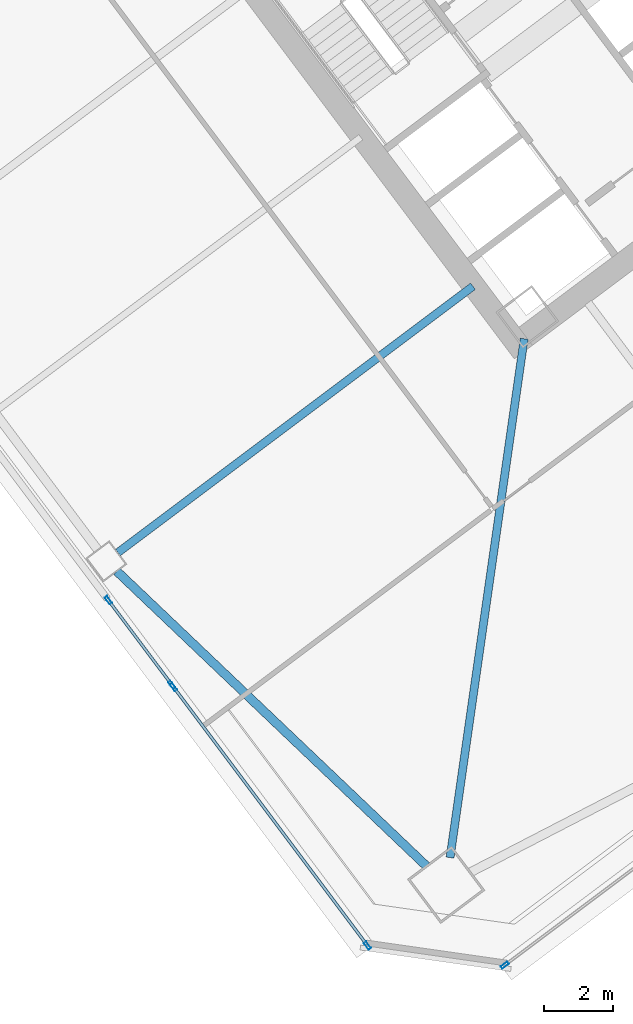
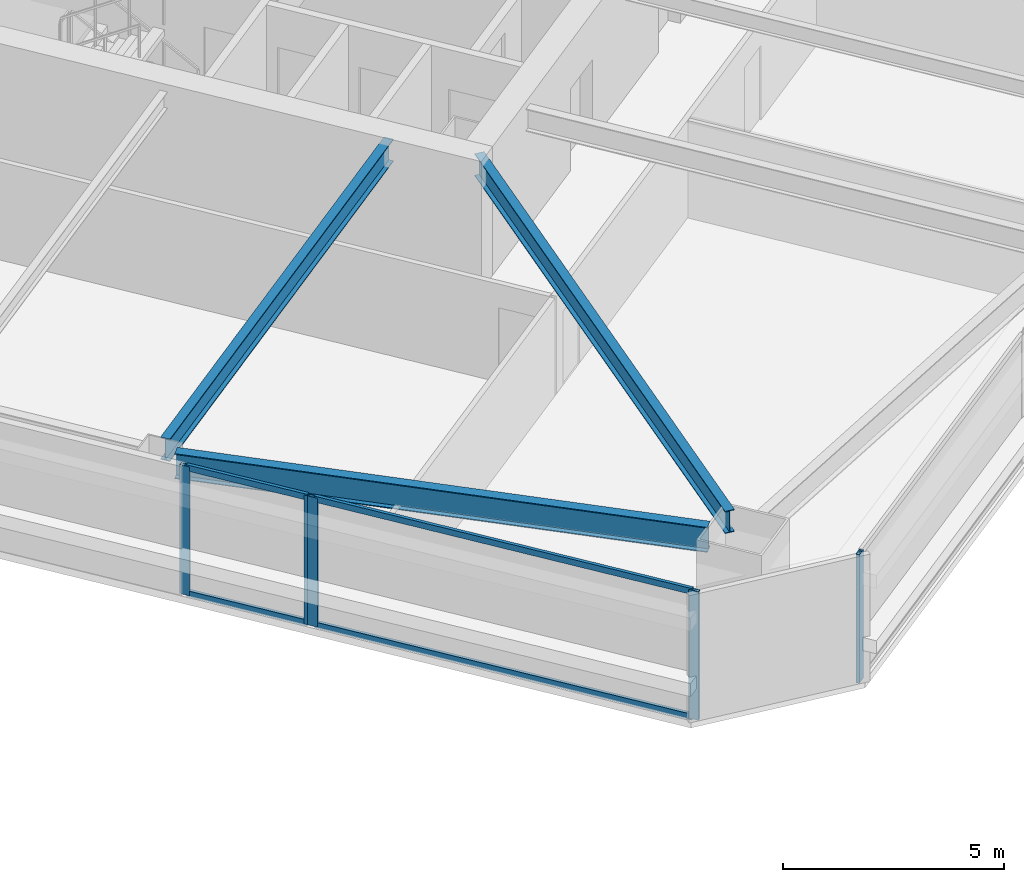
# One storey, part 18 of 46: 9 members, 3 beams, 3 elements without a shape of their own.
"""IFC4 building model written with IfcOpenShell, lengths in metres."""

from ifc_helpers import new_model, si_unit, direction, frame, origin, origin_2d, place, context, subcontext, project, spatial, hollow_rectangle, i_section, extrude, material, material_profile, profile_set, type_object, element, aggregate, save


model = new_model("IFC4")

# Units and contexts
model_context = context("Model", 3, precision=1e-05, world=origin(), true_north=direction((0.0, 1.0)))
body_context = subcontext(model_context, "Body", "Model", "MODEL_VIEW")
ifc_project = project(units=[si_unit("LENGTHUNIT", "METRE"), si_unit("AREAUNIT", "SQUARE_METRE"), si_unit("VOLUMEUNIT", "CUBIC_METRE"), si_unit("PLANEANGLEUNIT", "RADIAN"), si_unit("MASSUNIT", "GRAM", prefix="KILO")], contexts=[model_context])

# Site, building, storey
site_placement = place(None, origin())
site = spatial("IfcSite", under=ifc_project, at=site_placement, CompositionType="ELEMENT")
building_placement = place(site_placement, origin())
building = spatial("IfcBuilding", under=site, at=building_placement, Name="Tashvorn Skyway Center", CompositionType="ELEMENT")
storey_placement = place(building_placement, frame((0.0, 0.0, 31.699951171875)))
storey = spatial("IfcBuildingStorey", under=building, at=storey_placement, Name="L07", CompositionType="ELEMENT", Elevation=31.699951171875)

# Beams
ifc_material_1 = material(Name="Steel ASTM A992 Grade 50", Category="steel")
ifc_material_profile_1 = material_profile(ifc_material_1, i_section(OverallWidth=0.22998046875, OverallDepth=0.616943359375, WebThickness=0.01318359375, FlangeThickness=0.022216796875, at=origin_2d()), Name="W24X94")
ifc_profile_set_1 = profile_set([ifc_material_profile_1], Name="Steel ASTM A992 Grade 50")
beam_type_1 = type_object("IfcBeamType", Name="BM-BEAM-W24X94", PredefinedType="BEAM", material=ifc_profile_set_1)
beam_1_placement = place(storey_placement, frame((110.3525390625, 6.467041015625, 3.04150390625), z_axis=(0.141414599991, 0.989950458816, 0.0), x_axis=(-0.989950458816, 0.141414599991, 0.0)))
element("IfcBeam", 1, at=beam_1_placement, inside=storey, type_object=beam_type_1, Name="Tower 2 L07 Primary Floor Girder MC-SW", PredefinedType="BEAM", context=body_context, shape_type="SweptSolid", body=[
    extrude(i_section(OverallWidth=0.22998046875, OverallDepth=0.616943359375, WebThickness=0.01318359375, FlangeThickness=0.022216796875, at=origin_2d()), origin(), (0.0, 0.0, 1.0), 15.177001953125),
])
beam_2_placement = place(storey_placement, frame((100.736083984375, 15.302001953125, 3.04150390625), z_axis=(0.800002279907, 0.599996960112, 0.0), x_axis=(-0.599996960112, 0.800002279907, 0.0)))
element("IfcBeam", 2, at=beam_2_placement, inside=storey, type_object=beam_type_1, Name="Tower 2 L07 Primary Floor Girder FC-W2", PredefinedType="BEAM", context=body_context, shape_type="SweptSolid", body=[
    extrude(i_section(OverallWidth=0.22998046875, OverallDepth=0.616943359375, WebThickness=0.01318359375, FlangeThickness=0.022216796875, at=origin_2d()), origin(), (0.0, 0.0, 1.0), 12.85009765625),
])
ifc_material_profile_2 = material_profile(ifc_material_1, i_section(OverallWidth=0.256103515625, OverallDepth=0.693115234375, WebThickness=0.014404296875, FlangeThickness=0.023681640625, at=origin_2d()), Name="W27X114")
ifc_profile_set_2 = profile_set([ifc_material_profile_2], Name="Steel ASTM A992 Grade 50")
beam_type_2 = type_object("IfcBeamType", Name="BM-SPANDREL-W27X114", PredefinedType="SPANDREL", material=ifc_profile_set_2)
beam_3_placement = place(storey_placement, frame((100.7041015625, 14.76025390625, 3.003662109375), z_axis=(0.724200339835, -0.689589637236, 0.0), x_axis=(0.689589637236, 0.724200339835, 0.0)))
element("IfcBeam", 3, at=beam_3_placement, inside=storey, type_object=beam_type_2, Name="Tower 2 L07 Spandrel Beam 12", PredefinedType="SPANDREL", context=body_context, shape_type="SweptSolid", body=[
    extrude(i_section(OverallWidth=0.256103515625, OverallDepth=0.693115234375, WebThickness=0.014404296875, FlangeThickness=0.023681640625, at=origin_2d()), origin(), (0.0, 0.0, 1.0), 12.37255859375),
])

# Curtain wall, member
ifc_material_2 = material(Name="Thermally broken bronze-anodized aluminium 6063-T6", Category="aluminium")
curtain_wall_type = type_object("IfcCurtainWallType", Name="CW-CW-Z1", PredefinedType="NOTDEFINED", material=ifc_material_2)
curtain_wall_1_placement = place(storey_placement, origin())
curtain_wall_1 = element("IfcCurtainWall", 4, at=curtain_wall_1_placement, inside=storey, type_object=curtain_wall_type, Name="Tower 2 L07 South Unitised Curtain Wall Glazing Group 4", PredefinedType="NOTDEFINED")
ifc_material_profile_3 = material_profile(ifc_material_2, hollow_rectangle(XDim=0.0849609375, YDim=0.239990234375, WallThickness=0.0048828125, at=origin_2d()), Name="ALU-MULL-85x240")
ifc_profile_set_3 = profile_set([ifc_material_profile_3], Name="Thermally broken bronze-anodized aluminium 6063-T6")
member_type_1 = type_object("IfcMemberType", Name="CWM-CW-Z1", PredefinedType="MULLION", material=ifc_profile_set_3)
member_1_placement = place(storey_placement, frame((111.93798828125, 3.353515625, 0.0), z_axis=(0.0, 0.0, 1.0), x_axis=(0.600000000002, -0.799999999998, 0.0)))
member_1 = element("IfcMember", 5, at=member_1_placement, type_object=member_type_1, Name="CW-Z1 mullion 2", PredefinedType="MULLION", context=body_context, shape_type="SweptSolid", body=[
    extrude(hollow_rectangle(XDim=0.0849609375, YDim=0.239990234375, WallThickness=0.0048828125, at=origin_2d()), origin(), (0.0, 0.0, 1.0), 3.550048828125),
])
aggregate(curtain_wall_1, [member_1])

# Curtain wall, members
curtain_wall_2_placement = place(storey_placement, origin())
curtain_wall_2 = element("IfcCurtainWall", 6, at=curtain_wall_2_placement, inside=storey, type_object=curtain_wall_type, Name="Tower 2 L07 West Unitised Curtain Wall Glazing Group 1", PredefinedType="NOTDEFINED")
member_2_placement = place(storey_placement, frame((107.95849609375, 3.922119140625, 0.0), z_axis=(0.0, 0.0, 1.0), x_axis=(-0.799999999998, -0.600000000002, 0.0)))
member_2 = element("IfcMember", 7, at=member_2_placement, type_object=member_type_1, Name="CW-Z1 mullion 1", PredefinedType="MULLION", context=body_context, shape_type="SweptSolid", body=[
    extrude(hollow_rectangle(XDim=0.0849609375, YDim=0.239990234375, WallThickness=0.0048828125, at=origin_2d()), origin(), (0.0, 0.0, 1.0), 3.550048828125),
])
member_3_placement = place(storey_placement, frame((102.345458984375, 11.406005859375, 0.0), z_axis=(0.0, 0.0, 1.0), x_axis=(-0.799999999998, -0.600000000002, 0.0)))
member_3 = element("IfcMember", 8, at=member_3_placement, type_object=member_type_1, Name="CW-Z1 mullion 2", PredefinedType="MULLION", context=body_context, shape_type="SweptSolid", body=[
    extrude(hollow_rectangle(XDim=0.0849609375, YDim=0.239990234375, WallThickness=0.0048828125, at=origin_2d()), origin(), (0.0, 0.0, 1.0), 3.550048828125),
])

curtain_wall_3_placement = place(storey_placement, origin())
curtain_wall_3 = element("IfcCurtainWall", 9, at=curtain_wall_3_placement, inside=storey, type_object=curtain_wall_type, Name="Tower 2 L07 West Unitised Curtain Wall Glazing Group 2", PredefinedType="NOTDEFINED")
member_4_placement = place(storey_placement, frame((102.29443359375, 11.47412109375, 0.0), z_axis=(0.0, 0.0, 1.0), x_axis=(-0.799996186392, -0.600005084776, 0.0)))
member_4 = element("IfcMember", 10, at=member_4_placement, type_object=member_type_1, Name="CW-Z1 mullion 1", PredefinedType="MULLION", context=body_context, shape_type="SweptSolid", body=[
    extrude(hollow_rectangle(XDim=0.0849609375, YDim=0.239990234375, WallThickness=0.0048828125, at=origin_2d()), origin(), (0.0, 0.0, 1.0), 3.550048828125),
])
member_5_placement = place(storey_placement, frame((100.45751953125, 13.92333984375, 0.0), z_axis=(0.0, 0.0, 1.0), x_axis=(-0.799996186392, -0.600005084776, 0.0)))
member_5 = element("IfcMember", 11, at=member_5_placement, type_object=member_type_1, Name="CW-Z1 mullion 2", PredefinedType="MULLION", context=body_context, shape_type="SweptSolid", body=[
    extrude(hollow_rectangle(XDim=0.0849609375, YDim=0.239990234375, WallThickness=0.0048828125, at=origin_2d()), origin(), (0.0, 0.0, 1.0), 3.550048828125),
])

# Member
ifc_material_profile_4 = material_profile(ifc_material_2, hollow_rectangle(XDim=0.0849609375, YDim=0.1650390625, WallThickness=0.0048828125, at=origin_2d()), Name="ALU-TRAN-85x165")
ifc_profile_set_4 = profile_set([ifc_material_profile_4], Name="Thermally broken bronze-anodized aluminium 6063-T6")
member_type_2 = type_object("IfcMemberType", Name="CWT-CW-Z1", PredefinedType="USERDEFINED", material=ifc_profile_set_4)
member_6_placement = place(storey_placement, frame((107.93310546875, 3.9560546875, 0.04248046875), z_axis=(-0.6, 0.8, 0.0), x_axis=(-0.8, -0.6, 0.0)))
member_6 = element("IfcMember", 12, at=member_6_placement, type_object=member_type_2, Name="CW-Z1 transom 1.1", ObjectType="TRANSOM", PredefinedType="USERDEFINED", context=body_context, shape_type="SweptSolid", body=[
    extrude(hollow_rectangle(XDim=0.0849609375, YDim=0.1650390625, WallThickness=0.0048828125, at=origin_2d()), origin(), (0.0, 0.0, 1.0), 9.27001953125),
])

member_7_placement = place(storey_placement, frame((107.93310546875, 3.9560546875, 3.507568359375), z_axis=(-0.6, 0.8, 0.0), x_axis=(-0.8, -0.6, 0.0)))
member_7 = element("IfcMember", 13, at=member_7_placement, type_object=member_type_2, Name="CW-Z1 transom 1.2", ObjectType="TRANSOM", PredefinedType="USERDEFINED", context=body_context, shape_type="SweptSolid", body=[
    extrude(hollow_rectangle(XDim=0.0849609375, YDim=0.1650390625, WallThickness=0.0048828125, at=origin_2d()), origin(), (0.0, 0.0, 1.0), 9.27001953125),
])

aggregate(curtain_wall_2, [member_2, member_3, member_6, member_7])

member_8_placement = place(storey_placement, frame((102.26904296875, 11.508056640625, 0.04248046875), z_axis=(-0.600026244674, 0.799980315822, 0.0), x_axis=(-0.799980315822, -0.600026244674, 0.0)))
member_8 = element("IfcMember", 14, at=member_8_placement, type_object=member_type_2, Name="CW-Z1 transom 1.1", ObjectType="TRANSOM", PredefinedType="USERDEFINED", context=body_context, shape_type="SweptSolid", body=[
    extrude(hollow_rectangle(XDim=0.0849609375, YDim=0.1650390625, WallThickness=0.0048828125, at=origin_2d()), origin(), (0.0, 0.0, 1.0), 2.976806640625),
])

member_9_placement = place(storey_placement, frame((102.26904296875, 11.508056640625, 3.507568359375), z_axis=(-0.600026244674, 0.799980315822, 0.0), x_axis=(-0.799980315822, -0.600026244674, 0.0)))
member_9 = element("IfcMember", 15, at=member_9_placement, type_object=member_type_2, Name="CW-Z1 transom 1.2", ObjectType="TRANSOM", PredefinedType="USERDEFINED", context=body_context, shape_type="SweptSolid", body=[
    extrude(hollow_rectangle(XDim=0.0849609375, YDim=0.1650390625, WallThickness=0.0048828125, at=origin_2d()), origin(), (0.0, 0.0, 1.0), 2.976806640625),
])

aggregate(curtain_wall_3, [member_4, member_5, member_8, member_9])

save(model, "model.ifc")
